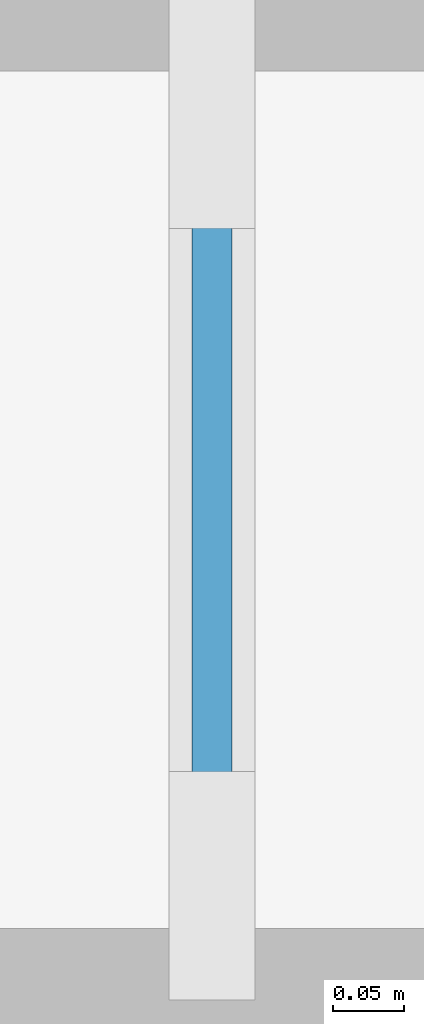
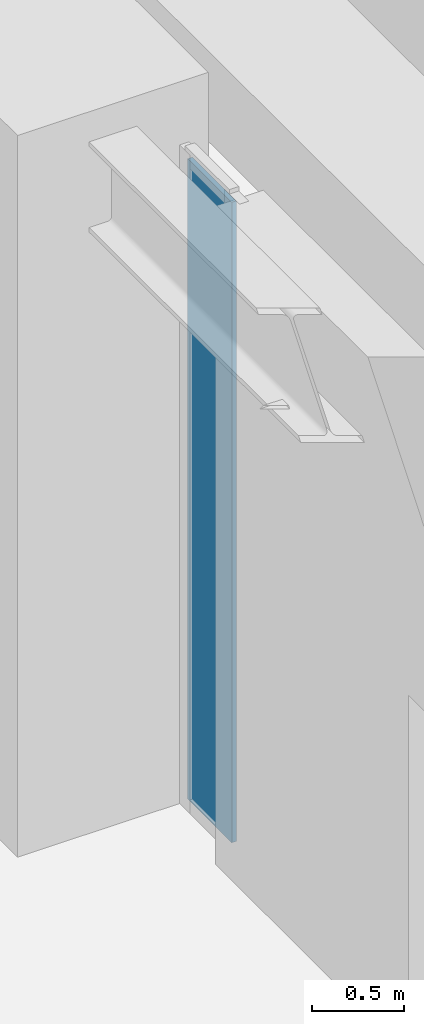
# One storey, part 30 of 53: 1 plate, 1 element without a shape of its own.
"""IFC4 building model written with IfcOpenShell, lengths in metres."""

from ifc_helpers import new_model, si_unit, direction, frame, origin, origin_2d, place, context, subcontext, project, spatial, rectangle, extrude, material, layer, layer_set, type_object, element, aggregate, save


model = new_model("IFC4")

# Units and contexts
model_context = context("Model", 3, precision=1e-05, world=origin(), true_north=direction((0.0, 1.0)))
body_context = subcontext(model_context, "Body", "Model", "MODEL_VIEW")
ifc_project = project(units=[si_unit("LENGTHUNIT", "METRE"), si_unit("AREAUNIT", "SQUARE_METRE"), si_unit("VOLUMEUNIT", "CUBIC_METRE"), si_unit("PLANEANGLEUNIT", "RADIAN"), si_unit("MASSUNIT", "GRAM", prefix="KILO")], contexts=[model_context])

# Site, building, storey
site_placement = place(None, origin())
site = spatial("IfcSite", under=ifc_project, at=site_placement, CompositionType="ELEMENT")
building_placement = place(site_placement, origin())
building = spatial("IfcBuilding", under=site, at=building_placement, Name="Khepri Terraces", CompositionType="ELEMENT")
storey_placement = place(building_placement, frame((0.0, 0.0, 7.199951171875)))
storey = spatial("IfcBuildingStorey", under=building, at=storey_placement, Name="L01", CompositionType="ELEMENT", Elevation=7.199951171875)

# Curtain wall, plate
ifc_material_1 = material(Name="Anodised aluminium bronze curtain wall", Category="aluminium")
curtain_wall_type = type_object("IfcCurtainWallType", Name="CW-SYS2-PODIUM", PredefinedType="NOTDEFINED", material=ifc_material_1)
curtain_wall_placement = place(storey_placement, origin())
curtain_wall = element("IfcCurtainWall", 1, at=curtain_wall_placement, inside=storey, type_object=curtain_wall_type, Name="Curtain wall CW2 L01 E", PredefinedType="NOTDEFINED")
ifc_material_2 = material(Name="Clear glass", Category="glass")
ifc_layer = layer(ifc_material_2, 0.028076171875, Name="Clear glass", Category="glass")
ifc_layer_set = layer_set([ifc_layer], Name="Clear glass")
plate_type = type_object("IfcPlateType", Name="CW-PANEL-VISION-28", PredefinedType="CURTAIN_PANEL", material=ifc_layer_set)
plate_placement = place(storey_placement, frame((42.449951171875, 15.89990234375, 0.06005859375), z_axis=(0.0, 0.0, 1.0), x_axis=(0.0, 1.0, 0.0)))
plate = element("IfcPlate", 2, at=plate_placement, type_object=plate_type, Name="CW2 panel 1.1", PredefinedType="CURTAIN_PANEL", context=body_context, shape_type="SweptSolid", body=[
    extrude(rectangle(XDim=0.47998046875, YDim=0.028076171875, at=origin_2d()), origin(), (0.0, 0.0, 1.0), 4.260009765625),
])
aggregate(curtain_wall, [plate])

save(model, "model.ifc")
